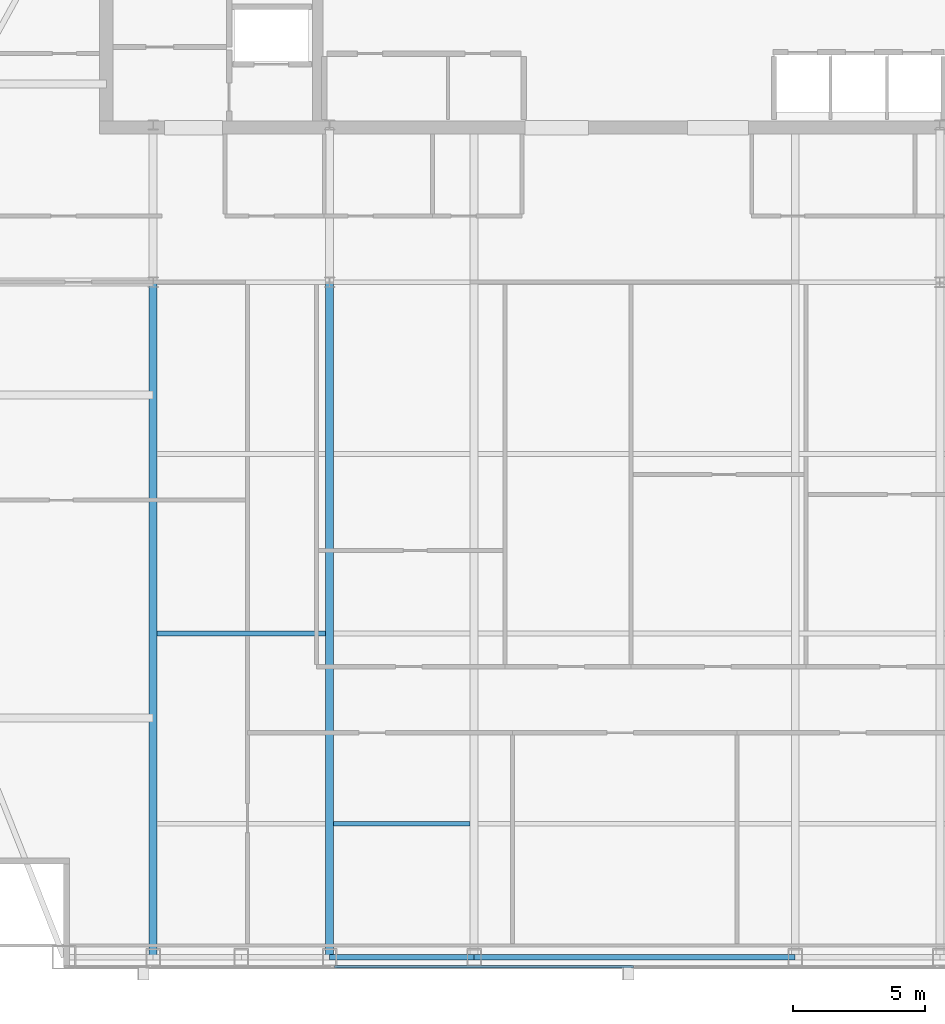
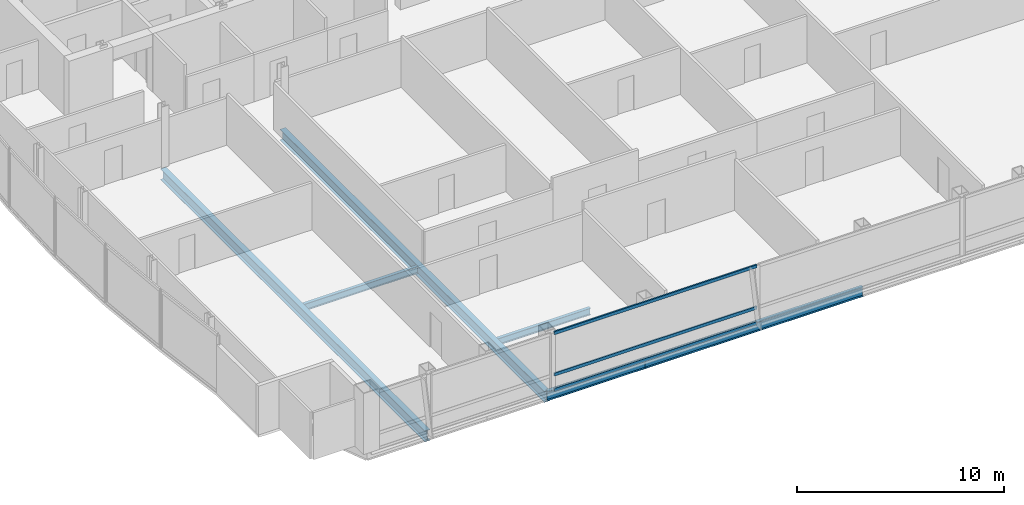
# One storey, part 6 of 25: 6 beams, 3 members, 1 element without a shape of its own.
"""IFC4 building model written with IfcOpenShell, lengths in metres."""

import ifcopenshell
import ifcopenshell.guid

model = None  # the IFC model being written
_history = None  # IfcOwnerHistory: only IFC2X3 demands one
_inside = {}  # id of a spatial element -> (the spatial element, [elements in it])
_under = {}  # id of a project, library or spatial element -> (it, [spatial elements below it])
_declared = {}  # id of a project -> (the project, [libraries it declares])
_typed = {}  # id of a type object -> (the type object, [elements of that type])
_made_of = {}  # id of a material, layer set ... -> (it, [elements and type objects made of it])


def new_model(schema):
    """Start an empty IFC model of exactly this schema.

    Asked for "IFC4X3", IfcOpenShell would pick the latest addendum, in which some entities
    have other attributes; the version numbers below select the first issue.
    IFC2X3 requires an IfcOwnerHistory on every rooted entity: one is made here for all.
    """
    global model, _history
    if schema == "IFC4X3":
        model = ifcopenshell.file(schema_version=(4, 3, 0, 0))
    else:
        model = ifcopenshell.file(schema=schema)
    _inside.clear()
    _under.clear()
    _declared.clear()
    _typed.clear()
    _made_of.clear()
    _history = None
    if model.schema == "IFC2X3":
        org = make("IfcOrganization", Name="unknown")
        user = make(
            "IfcPersonAndOrganization",
            ThePerson=make("IfcPerson", FamilyName="unknown"),
            TheOrganization=org,
        )
        app = make(
            "IfcApplication",
            ApplicationDeveloper=org,
            Version="unknown",
            ApplicationFullName="unknown",
            ApplicationIdentifier="unknown",
        )
        _history = make(
            "IfcOwnerHistory",
            OwningUser=user,
            OwningApplication=app,
            ChangeAction="ADDED",
            CreationDate=0,
        )
    return model


def make(cls, **values):
    """One entity of the class cls with the attributes given. An attribute that is None is left unset."""
    return model.create_entity(
        cls, **{name: value for name, value in values.items() if value is not None}
    )


def rooted(cls, **values):
    """An entity with a GlobalId (a new one), such as an element, a storey or a relation."""
    return make(cls, GlobalId=ifcopenshell.guid.new(), OwnerHistory=_history, **values)


def si_unit(unit_type, name, prefix=None):
    """IfcSIUnit, for example si_unit("LENGTHUNIT", "METRE", prefix="MILLI")."""
    return make("IfcSIUnit", UnitType=unit_type, Prefix=prefix, Name=name)


def assignment(units):
    """IfcUnitAssignment: the units of a project."""
    return None if units is None else make("IfcUnitAssignment", Units=units)


def point(xyz):
    """IfcCartesianPoint."""
    return None if xyz is None else make("IfcCartesianPoint", Coordinates=xyz)


def direction(xyz):
    """IfcDirection."""
    return None if xyz is None else make("IfcDirection", DirectionRatios=xyz)


def frame(location, z_axis=None, x_axis=None):
    """IfcAxis2Placement3D, a coordinate frame: its origin and axes. An axis left out is left unset."""
    return make(
        "IfcAxis2Placement3D",
        Location=point(location),
        Axis=direction(z_axis),
        RefDirection=direction(x_axis),
    )


def frame_2d(location, x_axis=None):
    """IfcAxis2Placement2D, a coordinate frame in the plane: its origin and x axis."""
    return make(
        "IfcAxis2Placement2D", Location=point(location), RefDirection=direction(x_axis)
    )


def origin():
    """The frame at (0, 0, 0) with its axes left unset."""
    return frame((0.0, 0.0, 0.0))


def origin_2d():
    """The frame at (0, 0) in the plane with its x axis left unset."""
    return frame_2d((0.0, 0.0))


def place(relative_to, where):
    """IfcLocalPlacement: puts the frame where relative to a parent placement (None: the world)."""
    return make(
        "IfcLocalPlacement", PlacementRelTo=relative_to, RelativePlacement=where
    )


def context(
    kind, dimensions, precision=None, world=None, true_north=None, identifier=None
):
    """IfcGeometricRepresentationContext, for example the 3D "Model" context."""
    return make(
        "IfcGeometricRepresentationContext",
        ContextIdentifier=identifier,
        ContextType=kind,
        CoordinateSpaceDimension=dimensions,
        Precision=precision,
        WorldCoordinateSystem=world,
        TrueNorth=true_north,
    )


def subcontext(parent, identifier, kind, view, scale=None):
    """IfcGeometricRepresentationSubContext, for example "Body" below "Model"."""
    return make(
        "IfcGeometricRepresentationSubContext",
        ContextIdentifier=identifier,
        ContextType=kind,
        ParentContext=parent,
        TargetScale=scale,
        TargetView=view,
    )


def project(units=None, contexts=None):
    """IfcProject with its units and contexts."""
    return rooted(
        "IfcProject",
        Name="project",
        RepresentationContexts=contexts,
        UnitsInContext=assignment(units),
    )


def spatial(cls, under=None, at=None, **own):
    """A site, building, storey or space (cls), placed at a placement, below another one or the project."""
    s = rooted(cls, ObjectPlacement=at, **own)
    if under is not None:
        _under.setdefault(under.id(), (under, []))[1].append(s)
    return s


def profile(cls, at=None, kind="AREA", **sizes):
    """A parametric profile (cls). Its sizes go by their IFC names, for example OverallWidth=200.0."""
    return make(cls, ProfileType=kind, Position=at, **sizes)


def hollow_rectangle(**sizes):
    """IfcRectangleHollowProfileDef."""
    return profile("IfcRectangleHollowProfileDef", **sizes)


def i_section(**sizes):
    """IfcIShapeProfileDef."""
    return profile("IfcIShapeProfileDef", **sizes)


def extrude(swept, where, along, depth):
    """IfcExtrudedAreaSolid: the profile swept, set in the frame where, extruded along a direction by depth."""
    return make(
        "IfcExtrudedAreaSolid",
        SweptArea=swept,
        Position=where,
        ExtrudedDirection=direction(along),
        Depth=depth,
    )


def shape(context_of_items, identifier, shape_type, items):
    """IfcShapeRepresentation: the items that make up one representation, for example the "Body"."""
    return make(
        "IfcShapeRepresentation",
        ContextOfItems=context_of_items,
        RepresentationIdentifier=identifier,
        RepresentationType=shape_type,
        Items=items,
    )


def material(Name=None, Category=None):
    """IfcMaterial."""
    return make("IfcMaterial", Name=Name, Category=Category)


def material_profile(
    of_material, cross_section, Name=None, Category=None, Priority=None
):
    """IfcMaterialProfile: a cross section and its material."""
    return make(
        "IfcMaterialProfile",
        Name=Name,
        Material=of_material,
        Profile=cross_section,
        Priority=Priority,
        Category=Category,
    )


def profile_set(profiles, Name=None, composite=None):
    """IfcMaterialProfileSet."""
    return make(
        "IfcMaterialProfileSet",
        Name=Name,
        MaterialProfiles=profiles,
        CompositeProfile=composite,
    )


def made_of(thing, what):
    """Note that an element or type object is made of a material, layer set ...; save() writes the relation."""
    if what is not None:
        _made_of.setdefault(what.id(), (what, []))[1].append(thing)
    return thing


def type_object(cls, material=None, **own):
    """A type object (cls), such as IfcWallType, which elements share."""
    return made_of(rooted(cls, **own), material)


def element(
    cls,
    number,
    at=None,
    inside=None,
    cuts=None,
    type_object=None,
    material=None,
    context=None,
    identifier="Body",
    shape_type=None,
    held_by="IfcProductDefinitionShape",
    body=None,
    shapes=None,
    **own,
):
    """One element of the class cls, such as IfcWall. Its Tag is "e" and its number.

    at: its placement. inside: the storey or other place that contains it. cuts: it is an
    opening in that element (IfcRelVoidsElement). A single representation is given by context,
    identifier, shape_type and body (its items); several are given by shapes. held_by: the class
    of the entity that holds the representations. save() writes the other relations.
    """
    e = rooted(cls, Tag="e%d" % number, ObjectPlacement=at, **own)
    if body is not None:
        shapes = [shape(context, identifier, shape_type, body)]
    if shapes is not None:
        e.Representation = make(held_by, Representations=shapes)
    if inside is not None:
        _inside.setdefault(inside.id(), (inside, []))[1].append(e)
    if cuts is not None:
        rooted(
            "IfcRelVoidsElement", RelatingBuildingElement=cuts, RelatedOpeningElement=e
        )
    if type_object is not None:
        _typed.setdefault(type_object.id(), (type_object, []))[1].append(e)
    return made_of(e, material)


def aggregate(whole, parts):
    """IfcRelAggregates: a whole, such as a stair, and the parts it consists of."""
    return rooted("IfcRelAggregates", RelatingObject=whole, RelatedObjects=parts)


def save(model, path):
    """Write the relations noted so far, then the file.

    IfcRelAggregates (storeys below a building ...), IfcRelContainedInSpatialStructure (elements
    in a storey), IfcRelDefinesByType, IfcRelAssociatesMaterial and IfcRelDeclares: one each for
    every whole, place, type object, material and project.
    """
    for whole, parts in _under.values():
        aggregate(whole, parts)
    for where, things in _inside.values():
        rooted(
            "IfcRelContainedInSpatialStructure",
            RelatedElements=things,
            RelatingStructure=where,
        )
    for kind, things in _typed.values():
        rooted("IfcRelDefinesByType", RelatedObjects=things, RelatingType=kind)
    for what, things in _made_of.values():
        rooted("IfcRelAssociatesMaterial", RelatedObjects=things, RelatingMaterial=what)
    for by, libraries in _declared.values():
        rooted("IfcRelDeclares", RelatingContext=by, RelatedDefinitions=libraries)
    model.write(path)


model = new_model("IFC4")

# Units and contexts
model_context = context("Model", 3, precision=1e-05, world=origin(), true_north=direction((0.0, 1.0)))
body_context = subcontext(model_context, "Body", "Model", "MODEL_VIEW")
ifc_project = project(units=[si_unit("LENGTHUNIT", "METRE"), si_unit("AREAUNIT", "SQUARE_METRE"), si_unit("VOLUMEUNIT", "CUBIC_METRE"), si_unit("PLANEANGLEUNIT", "RADIAN"), si_unit("MASSUNIT", "GRAM", prefix="KILO")], contexts=[model_context])

# Site, building, storey
site_placement = place(None, origin())
site = spatial("IfcSite", under=ifc_project, at=site_placement, CompositionType="ELEMENT")
building_placement = place(site_placement, origin())
building = spatial("IfcBuilding", under=site, at=building_placement, Name="Khoronbel Lancet Exchange", CompositionType="ELEMENT")
storey_placement = place(building_placement, frame((0.0, 0.0, 295.0)))
storey = spatial("IfcBuildingStorey", under=building, at=storey_placement, Name="L76", CompositionType="ELEMENT", Elevation=295.0)

# Beams
ifc_material_1 = material(Name="Steel S355", Category="steel")
ifc_material_profile_1 = material_profile(ifc_material_1, i_section(OverallWidth=0.300048828125, OverallDepth=0.64990234375, WebThickness=0.01611328125, FlangeThickness=0.031005859375, at=origin_2d()), Name="HEB 650")
ifc_profile_set_1 = profile_set([ifc_material_profile_1], Name="Steel S355")
beam_type_1 = type_object("IfcBeamType", Name="BM-BG4", PredefinedType="BEAM", material=ifc_profile_set_1)
for number, where, z_axis, x_axis, name in (
    (1, (18.22509765625, 10.14990234375, -0.485107421875), (0.0, 1.0, 0.0), (-1.0, 0.0, 0.0), "Level L76 south primary girder GS1"),
    (2, (24.89990234375, 10.14990234375, -0.485107421875), (0.0, 1.0, 0.0), (-1.0, 0.0, 0.0), "Level L76 south primary girder GS2"),
):
    element("IfcBeam", number, at=place(storey_placement, frame(where, z_axis=z_axis, x_axis=x_axis)), inside=storey, type_object=beam_type_1, Name=name, PredefinedType="BEAM", context=body_context, shape_type="SweptSolid", body=[
        extrude(i_section(OverallWidth=0.300048828125, OverallDepth=0.64990234375, WebThickness=0.01611328125, FlangeThickness=0.031005859375, at=origin_2d()), origin(), (0.0, 0.0, 1.0), 25.550048828125),
    ])
ifc_material_profile_2 = material_profile(ifc_material_1, i_section(OverallWidth=0.179931640625, OverallDepth=0.39990234375, WebThickness=0.008544921875, FlangeThickness=0.013427734375, at=origin_2d()), Name="IPE 400")
ifc_profile_set_2 = profile_set([ifc_material_profile_2], Name="Steel S355")
beam_type_2 = type_object("IfcBeamType", Name="BM-BJ5", PredefinedType="JOIST", material=ifc_profile_set_2)
beam_1_placement = place(storey_placement, frame((25.050048828125, 15.199951171875, -0.360107421875), z_axis=(1.0, 0.0, 0.0), x_axis=(0.0, 1.0, 0.0)))
element("IfcBeam", 3, at=beam_1_placement, inside=storey, type_object=beam_type_2, Name="Level L76 secondary composite joist J02", PredefinedType="JOIST", context=body_context, shape_type="SweptSolid", body=[
    extrude(i_section(OverallWidth=0.179931640625, OverallDepth=0.39990234375, WebThickness=0.008544921875, FlangeThickness=0.013427734375, at=origin_2d()), origin(), (0.0, 0.0, 1.0), 5.175048828125),
])
beam_2_placement = place(storey_placement, frame((18.375, 22.39990234375, -0.360107421875), z_axis=(1.0, 0.0, 0.0), x_axis=(0.0, 1.0, 0.0)))
element("IfcBeam", 4, at=beam_2_placement, inside=storey, type_object=beam_type_2, Name="Level L76 secondary composite joist J06", PredefinedType="JOIST", context=body_context, shape_type="SweptSolid", body=[
    extrude(i_section(OverallWidth=0.179931640625, OverallDepth=0.39990234375, WebThickness=0.008544921875, FlangeThickness=0.013427734375, at=origin_2d()), origin(), (0.0, 0.0, 1.0), 6.375),
])
ifc_material_profile_3 = material_profile(ifc_material_1, i_section(OverallWidth=0.2099609375, OverallDepth=0.550048828125, WebThickness=0.010986328125, FlangeThickness=0.01708984375, at=origin_2d()), Name="IPE 550")
ifc_profile_set_3 = profile_set([ifc_material_profile_3], Name="Steel S355")
beam_type_3 = type_object("IfcBeamType", Name="BM-BSP3", PredefinedType="SPANDREL", material=ifc_profile_set_3)
beam_3_placement = place(storey_placement, frame((24.89990234375, 10.14990234375, -0.43505859375), z_axis=(1.0, 0.0, 0.0), x_axis=(0.0, 1.0, 0.0)))
element("IfcBeam", 5, at=beam_3_placement, inside=storey, type_object=beam_type_3, Name="Level L76 perimeter spandrel beam SP04", PredefinedType="SPANDREL", context=body_context, shape_type="SweptSolid", body=[
    extrude(i_section(OverallWidth=0.2099609375, OverallDepth=0.550048828125, WebThickness=0.010986328125, FlangeThickness=0.01708984375, at=origin_2d()), origin(), (0.0, 0.0, 1.0), 5.47509765625),
])
beam_4_placement = place(storey_placement, frame((30.375, 10.14990234375, -0.43505859375), z_axis=(1.0, 0.0, 0.0), x_axis=(0.0, 1.0, 0.0)))
element("IfcBeam", 6, at=beam_4_placement, inside=storey, type_object=beam_type_3, Name="Level L76 perimeter spandrel beam SP05", PredefinedType="SPANDREL", context=body_context, shape_type="SweptSolid", body=[
    extrude(i_section(OverallWidth=0.2099609375, OverallDepth=0.550048828125, WebThickness=0.010986328125, FlangeThickness=0.01708984375, at=origin_2d()), origin(), (0.0, 0.0, 1.0), 12.14990234375),
])

# Curtain wall, members
ifc_material_2 = material(Name="Low-E Solar Control Insulating Glass", Category="glass")
curtain_wall_type = type_object("IfcCurtainWallType", Name="CW-3", PredefinedType="NOTDEFINED", material=ifc_material_2)
curtain_wall_placement = place(storey_placement, origin())
curtain_wall = element("IfcCurtainWall", 7, at=curtain_wall_placement, inside=storey, type_object=curtain_wall_type, Name="Unitised curtain wall CW-L76-SCV", PredefinedType="NOTDEFINED")
ifc_material_3 = material(Name="Bronze-Anodised Aluminium 6063-T6", Category="aluminium")
ifc_material_profile_4 = material_profile(ifc_material_3, hollow_rectangle(XDim=0.0849609375, YDim=0.179931640625, WallThickness=0.0048828125, at=origin_2d()), Name="ALU TRANSOM 85x180")
ifc_profile_set_4 = profile_set([ifc_material_profile_4], Name="Bronze-Anodised Aluminium 6063-T6")
member_type = type_object("IfcMemberType", Name="MEM-CWT1", PredefinedType="USERDEFINED", material=ifc_profile_set_4)
member_1_placement = place(storey_placement, frame((25.0849609375, 9.7900390625, 0.04248046875), z_axis=(1.0, 0.0, 0.0), x_axis=(0.0, 1.0, 0.0)))
member_1 = element("IfcMember", 8, at=member_1_placement, type_object=member_type, Name="CW3 transom 1.1", ObjectType="TRANSOM", PredefinedType="USERDEFINED", context=body_context, shape_type="SweptSolid", body=[
    extrude(hollow_rectangle(XDim=0.0849609375, YDim=0.179931640625, WallThickness=0.0048828125, at=origin_2d()), origin(), (0.0, 0.0, 1.0), 11.322509765625),
])
member_2_placement = place(storey_placement, frame((25.0849609375, 9.7900390625, 0.949951171875), z_axis=(1.0, 0.0, 0.0), x_axis=(0.0, 1.0, 0.0)))
member_2 = element("IfcMember", 9, at=member_2_placement, type_object=member_type, Name="CW3 transom 1.2", ObjectType="TRANSOM", PredefinedType="USERDEFINED", context=body_context, shape_type="SweptSolid", body=[
    extrude(hollow_rectangle(XDim=0.0849609375, YDim=0.179931640625, WallThickness=0.0048828125, at=origin_2d()), origin(), (0.0, 0.0, 1.0), 11.322509765625),
])
member_3_placement = place(storey_placement, frame((25.0849609375, 9.7900390625, 3.3974609375), z_axis=(1.0, 0.0, 0.0), x_axis=(0.0, 1.0, 0.0)))
member_3 = element("IfcMember", 10, at=member_3_placement, type_object=member_type, Name="CW3 transom 1.3", ObjectType="TRANSOM", PredefinedType="USERDEFINED", context=body_context, shape_type="SweptSolid", body=[
    extrude(hollow_rectangle(XDim=0.0849609375, YDim=0.179931640625, WallThickness=0.0048828125, at=origin_2d()), origin(), (0.0, 0.0, 1.0), 11.322509765625),
])
aggregate(curtain_wall, [member_1, member_2, member_3])

save(model, "model.ifc")
